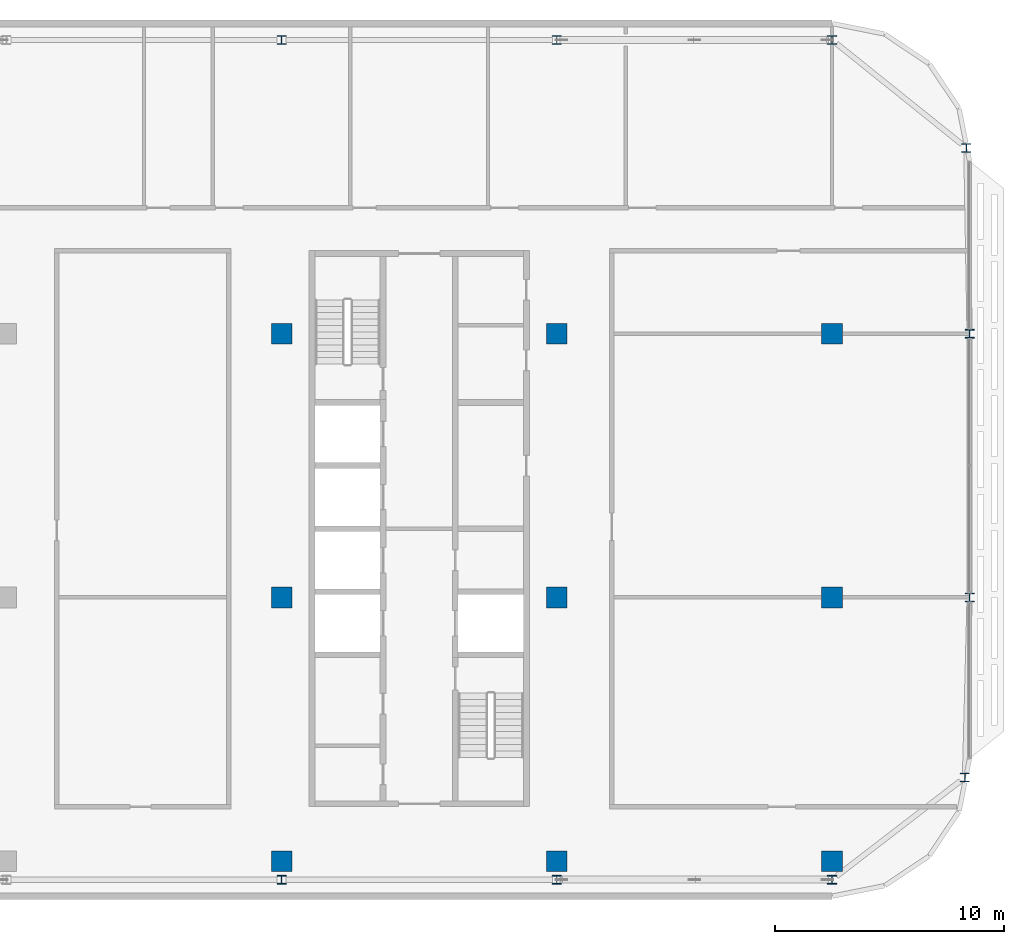
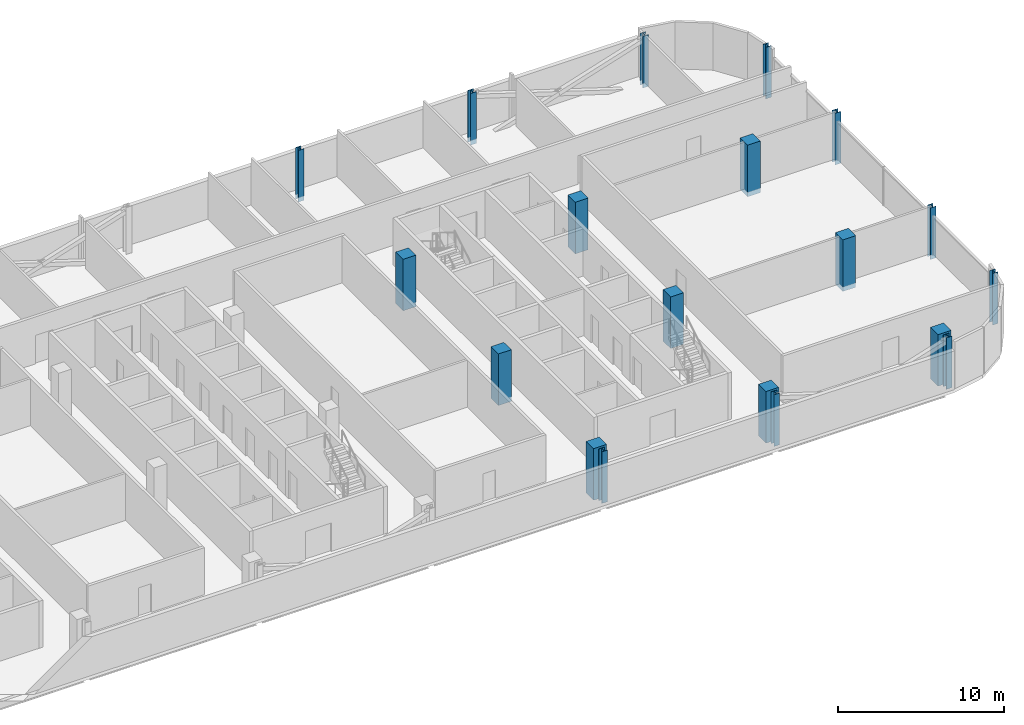
# One storey, part 4 of 29: 19 columns.
"""IFC4 building model written with IfcOpenShell, lengths in metres."""

import ifcopenshell
import ifcopenshell.guid

model = None  # the IFC model being written
_history = None  # IfcOwnerHistory: only IFC2X3 demands one
_inside = {}  # id of a spatial element -> (the spatial element, [elements in it])
_under = {}  # id of a project, library or spatial element -> (it, [spatial elements below it])
_declared = {}  # id of a project -> (the project, [libraries it declares])
_typed = {}  # id of a type object -> (the type object, [elements of that type])
_made_of = {}  # id of a material, layer set ... -> (it, [elements and type objects made of it])


def new_model(schema):
    """Start an empty IFC model of exactly this schema.

    Asked for "IFC4X3", IfcOpenShell would pick the latest addendum, in which some entities
    have other attributes; the version numbers below select the first issue.
    IFC2X3 requires an IfcOwnerHistory on every rooted entity: one is made here for all.
    """
    global model, _history
    if schema == "IFC4X3":
        model = ifcopenshell.file(schema_version=(4, 3, 0, 0))
    else:
        model = ifcopenshell.file(schema=schema)
    _inside.clear()
    _under.clear()
    _declared.clear()
    _typed.clear()
    _made_of.clear()
    _history = None
    if model.schema == "IFC2X3":
        org = make("IfcOrganization", Name="unknown")
        user = make(
            "IfcPersonAndOrganization",
            ThePerson=make("IfcPerson", FamilyName="unknown"),
            TheOrganization=org,
        )
        app = make(
            "IfcApplication",
            ApplicationDeveloper=org,
            Version="unknown",
            ApplicationFullName="unknown",
            ApplicationIdentifier="unknown",
        )
        _history = make(
            "IfcOwnerHistory",
            OwningUser=user,
            OwningApplication=app,
            ChangeAction="ADDED",
            CreationDate=0,
        )
    return model


def make(cls, **values):
    """One entity of the class cls with the attributes given. An attribute that is None is left unset."""
    return model.create_entity(
        cls, **{name: value for name, value in values.items() if value is not None}
    )


def rooted(cls, **values):
    """An entity with a GlobalId (a new one), such as an element, a storey or a relation."""
    return make(cls, GlobalId=ifcopenshell.guid.new(), OwnerHistory=_history, **values)


def si_unit(unit_type, name, prefix=None):
    """IfcSIUnit, for example si_unit("LENGTHUNIT", "METRE", prefix="MILLI")."""
    return make("IfcSIUnit", UnitType=unit_type, Prefix=prefix, Name=name)


def assignment(units):
    """IfcUnitAssignment: the units of a project."""
    return None if units is None else make("IfcUnitAssignment", Units=units)


def point(xyz):
    """IfcCartesianPoint."""
    return None if xyz is None else make("IfcCartesianPoint", Coordinates=xyz)


def direction(xyz):
    """IfcDirection."""
    return None if xyz is None else make("IfcDirection", DirectionRatios=xyz)


def frame(location, z_axis=None, x_axis=None):
    """IfcAxis2Placement3D, a coordinate frame: its origin and axes. An axis left out is left unset."""
    return make(
        "IfcAxis2Placement3D",
        Location=point(location),
        Axis=direction(z_axis),
        RefDirection=direction(x_axis),
    )


def frame_2d(location, x_axis=None):
    """IfcAxis2Placement2D, a coordinate frame in the plane: its origin and x axis."""
    return make(
        "IfcAxis2Placement2D", Location=point(location), RefDirection=direction(x_axis)
    )


def origin():
    """The frame at (0, 0, 0) with its axes left unset."""
    return frame((0.0, 0.0, 0.0))


def origin_2d():
    """The frame at (0, 0) in the plane with its x axis left unset."""
    return frame_2d((0.0, 0.0))


def place(relative_to, where):
    """IfcLocalPlacement: puts the frame where relative to a parent placement (None: the world)."""
    return make(
        "IfcLocalPlacement", PlacementRelTo=relative_to, RelativePlacement=where
    )


def context(
    kind, dimensions, precision=None, world=None, true_north=None, identifier=None
):
    """IfcGeometricRepresentationContext, for example the 3D "Model" context."""
    return make(
        "IfcGeometricRepresentationContext",
        ContextIdentifier=identifier,
        ContextType=kind,
        CoordinateSpaceDimension=dimensions,
        Precision=precision,
        WorldCoordinateSystem=world,
        TrueNorth=true_north,
    )


def subcontext(parent, identifier, kind, view, scale=None):
    """IfcGeometricRepresentationSubContext, for example "Body" below "Model"."""
    return make(
        "IfcGeometricRepresentationSubContext",
        ContextIdentifier=identifier,
        ContextType=kind,
        ParentContext=parent,
        TargetScale=scale,
        TargetView=view,
    )


def project(units=None, contexts=None):
    """IfcProject with its units and contexts."""
    return rooted(
        "IfcProject",
        Name="project",
        RepresentationContexts=contexts,
        UnitsInContext=assignment(units),
    )


def spatial(cls, under=None, at=None, **own):
    """A site, building, storey or space (cls), placed at a placement, below another one or the project."""
    s = rooted(cls, ObjectPlacement=at, **own)
    if under is not None:
        _under.setdefault(under.id(), (under, []))[1].append(s)
    return s


def profile(cls, at=None, kind="AREA", **sizes):
    """A parametric profile (cls). Its sizes go by their IFC names, for example OverallWidth=200.0."""
    return make(cls, ProfileType=kind, Position=at, **sizes)


def rectangle(**sizes):
    """IfcRectangleProfileDef."""
    return profile("IfcRectangleProfileDef", **sizes)


def i_section(**sizes):
    """IfcIShapeProfileDef."""
    return profile("IfcIShapeProfileDef", **sizes)


def extrude(swept, where, along, depth):
    """IfcExtrudedAreaSolid: the profile swept, set in the frame where, extruded along a direction by depth."""
    return make(
        "IfcExtrudedAreaSolid",
        SweptArea=swept,
        Position=where,
        ExtrudedDirection=direction(along),
        Depth=depth,
    )


def shape(context_of_items, identifier, shape_type, items):
    """IfcShapeRepresentation: the items that make up one representation, for example the "Body"."""
    return make(
        "IfcShapeRepresentation",
        ContextOfItems=context_of_items,
        RepresentationIdentifier=identifier,
        RepresentationType=shape_type,
        Items=items,
    )


def material(Name=None, Category=None):
    """IfcMaterial."""
    return make("IfcMaterial", Name=Name, Category=Category)


def material_profile(
    of_material, cross_section, Name=None, Category=None, Priority=None
):
    """IfcMaterialProfile: a cross section and its material."""
    return make(
        "IfcMaterialProfile",
        Name=Name,
        Material=of_material,
        Profile=cross_section,
        Priority=Priority,
        Category=Category,
    )


def profile_set(profiles, Name=None, composite=None):
    """IfcMaterialProfileSet."""
    return make(
        "IfcMaterialProfileSet",
        Name=Name,
        MaterialProfiles=profiles,
        CompositeProfile=composite,
    )


def made_of(thing, what):
    """Note that an element or type object is made of a material, layer set ...; save() writes the relation."""
    if what is not None:
        _made_of.setdefault(what.id(), (what, []))[1].append(thing)
    return thing


def type_object(cls, material=None, **own):
    """A type object (cls), such as IfcWallType, which elements share."""
    return made_of(rooted(cls, **own), material)


def element(
    cls,
    number,
    at=None,
    inside=None,
    cuts=None,
    type_object=None,
    material=None,
    context=None,
    identifier="Body",
    shape_type=None,
    held_by="IfcProductDefinitionShape",
    body=None,
    shapes=None,
    **own,
):
    """One element of the class cls, such as IfcWall. Its Tag is "e" and its number.

    at: its placement. inside: the storey or other place that contains it. cuts: it is an
    opening in that element (IfcRelVoidsElement). A single representation is given by context,
    identifier, shape_type and body (its items); several are given by shapes. held_by: the class
    of the entity that holds the representations. save() writes the other relations.
    """
    e = rooted(cls, Tag="e%d" % number, ObjectPlacement=at, **own)
    if body is not None:
        shapes = [shape(context, identifier, shape_type, body)]
    if shapes is not None:
        e.Representation = make(held_by, Representations=shapes)
    if inside is not None:
        _inside.setdefault(inside.id(), (inside, []))[1].append(e)
    if cuts is not None:
        rooted(
            "IfcRelVoidsElement", RelatingBuildingElement=cuts, RelatedOpeningElement=e
        )
    if type_object is not None:
        _typed.setdefault(type_object.id(), (type_object, []))[1].append(e)
    return made_of(e, material)


def aggregate(whole, parts):
    """IfcRelAggregates: a whole, such as a stair, and the parts it consists of."""
    return rooted("IfcRelAggregates", RelatingObject=whole, RelatedObjects=parts)


def save(model, path):
    """Write the relations noted so far, then the file.

    IfcRelAggregates (storeys below a building ...), IfcRelContainedInSpatialStructure (elements
    in a storey), IfcRelDefinesByType, IfcRelAssociatesMaterial and IfcRelDeclares: one each for
    every whole, place, type object, material and project.
    """
    for whole, parts in _under.values():
        aggregate(whole, parts)
    for where, things in _inside.values():
        rooted(
            "IfcRelContainedInSpatialStructure",
            RelatedElements=things,
            RelatingStructure=where,
        )
    for kind, things in _typed.values():
        rooted("IfcRelDefinesByType", RelatedObjects=things, RelatingType=kind)
    for what, things in _made_of.values():
        rooted("IfcRelAssociatesMaterial", RelatedObjects=things, RelatingMaterial=what)
    for by, libraries in _declared.values():
        rooted("IfcRelDeclares", RelatingContext=by, RelatedDefinitions=libraries)
    model.write(path)


model = new_model("IFC4")

# Units and contexts
model_context = context("Model", 3, precision=1e-05, world=origin(), true_north=direction((0.0, 1.0)))
body_context = subcontext(model_context, "Body", "Model", "MODEL_VIEW")
ifc_project = project(units=[si_unit("LENGTHUNIT", "METRE"), si_unit("AREAUNIT", "SQUARE_METRE"), si_unit("VOLUMEUNIT", "CUBIC_METRE"), si_unit("PLANEANGLEUNIT", "RADIAN"), si_unit("MASSUNIT", "GRAM", prefix="KILO")], contexts=[model_context])

# Site, building, storey
site_placement = place(None, origin())
site = spatial("IfcSite", under=ifc_project, at=site_placement, CompositionType="ELEMENT")
building_placement = place(site_placement, origin())
building = spatial("IfcBuilding", under=site, at=building_placement, Name="Mahtab Terrace Research Tower", CompositionType="ELEMENT")
storey_placement = place(building_placement, frame((0.0, 0.0, 274.699951171875)))
storey = spatial("IfcBuildingStorey", under=building, at=storey_placement, Name="L67", CompositionType="ELEMENT", Elevation=274.699951171875)

# Columns
ifc_material_1 = material(Name="Concrete C70/85", Category="concrete")
ifc_material_profile_1 = material_profile(ifc_material_1, rectangle(XDim=0.89990234375, YDim=0.89990234375, at=origin_2d()), Name="RC column 900x900")
ifc_profile_set_1 = profile_set([ifc_material_profile_1], Name="Concrete C70/85")
column_type_1 = type_object("IfcColumnType", Name="RC column 900x900", PredefinedType="COLUMN", material=ifc_profile_set_1)
for number, where, z_axis, x_axis, name in (
    (1, (18.0, -11.5, -0.33984375), (0.0, 0.0, 1.0), (1.0, 0.0, 0.0), "Column RC-6A L67"),
    (2, (18.0, 0.0, -0.33984375), (0.0, 0.0, 1.0), (1.0, 0.0, 0.0), "Column RC-6B L67"),
    (3, (18.0, 11.5, -0.33984375), (0.0, 0.0, 1.0), (1.0, 0.0, 0.0), "Column RC-6C L67"),
    (4, (30.0, -11.5, -0.33984375), (0.0, 0.0, 1.0), (1.0, 0.0, 0.0), "Column RC-7A L67"),
    (5, (30.0, 0.0, -0.33984375), (0.0, 0.0, 1.0), (1.0, 0.0, 0.0), "Column RC-7B L67"),
    (6, (30.0, 11.5, -0.33984375), (0.0, 0.0, 1.0), (1.0, 0.0, 0.0), "Column RC-7C L67"),
    (7, (42.0, -11.5, -0.33984375), (0.0, 0.0, 1.0), (1.0, 0.0, 0.0), "Column RC-8A L67"),
    (8, (42.0, 0.0, -0.33984375), (0.0, 0.0, 1.0), (1.0, 0.0, 0.0), "Column RC-8B L67"),
    (9, (42.0, 11.5, -0.33984375), (0.0, 0.0, 1.0), (1.0, 0.0, 0.0), "Column RC-8C L67"),
):
    element("IfcColumn", number, at=place(storey_placement, frame(where, z_axis=z_axis, x_axis=x_axis)), inside=storey, type_object=column_type_1, Name=name, PredefinedType="COLUMN", context=body_context, shape_type="SweptSolid", body=[
        extrude(rectangle(XDim=0.89990234375, YDim=0.89990234375, at=origin_2d()), origin(), (0.0, 0.0, 1.0), 3.7998046875),
    ])
ifc_material_2 = material(Name="Steel ASTM A992 Gr 50", Category="steel")
ifc_material_profile_2 = material_profile(ifc_material_2, i_section(OverallWidth=0.393798828125, OverallDepth=0.3759765625, WebThickness=0.017333984375, FlangeThickness=0.027587890625, at=origin_2d()), Name="W14X145")
ifc_profile_set_2 = profile_set([ifc_material_profile_2], Name="Steel ASTM A992 Gr 50")
column_type_2 = type_object("IfcColumnType", Name="W14x145 column CS14145", PredefinedType="COLUMN", material=ifc_profile_set_2)
for number, where, z_axis, x_axis, name in (
    (10, (47.85693359375, 19.60498046875, -0.33984375), (0.0, 0.0, 1.0), (1.0, 0.0, 0.0), "Column SC-070 L67"),
    (11, (42.0, 24.306884765625, -0.33984375), (0.0, 0.0, 1.0), (1.0, 0.0, 0.0), "Column SC-071 L67"),
    (12, (30.0, 24.306884765625, -0.33984375), (0.0, 0.0, 1.0), (1.0, 0.0, 0.0), "Column SC-072 L67"),
    (13, (18.0, 24.306884765625, -0.33984375), (0.0, 0.0, 1.0), (1.0, 0.0, 0.0), "Column SC-073 L67"),
    (14, (18.0, -12.306884765625, -0.33984375), (0.0, 0.0, 1.0), (1.0, 0.0, 0.0), "Column SC-086 L67"),
    (15, (30.0, -12.306884765625, -0.33984375), (0.0, 0.0, 1.0), (1.0, 0.0, 0.0), "Column SC-087 L67"),
    (16, (42.0, -12.306884765625, -0.33984375), (0.0, 0.0, 1.0), (1.0, 0.0, 0.0), "Column SC-088 L67"),
    (17, (47.798095703125, -7.847900390625, -0.33984375), (0.0, 0.0, 1.0), (1.0, 0.0, 0.0), "Column SC-089 L67"),
    (18, (48.0, 0.0, -0.33984375), (0.0, 0.0, 1.0), (1.0, 0.0, 0.0), "Column SC-021 L67"),
    (19, (48.0, 11.5, -0.33984375), (0.0, 0.0, 1.0), (1.0, 0.0, 0.0), "Column SC-022 L67"),
):
    element("IfcColumn", number, at=place(storey_placement, frame(where, z_axis=z_axis, x_axis=x_axis)), inside=storey, type_object=column_type_2, Name=name, PredefinedType="COLUMN", context=body_context, shape_type="SweptSolid", body=[
        extrude(i_section(OverallWidth=0.393798828125, OverallDepth=0.3759765625, WebThickness=0.017333984375, FlangeThickness=0.027587890625, at=origin_2d()), origin(), (0.0, 0.0, 1.0), 3.7998046875),
    ])

save(model, "model.ifc")
